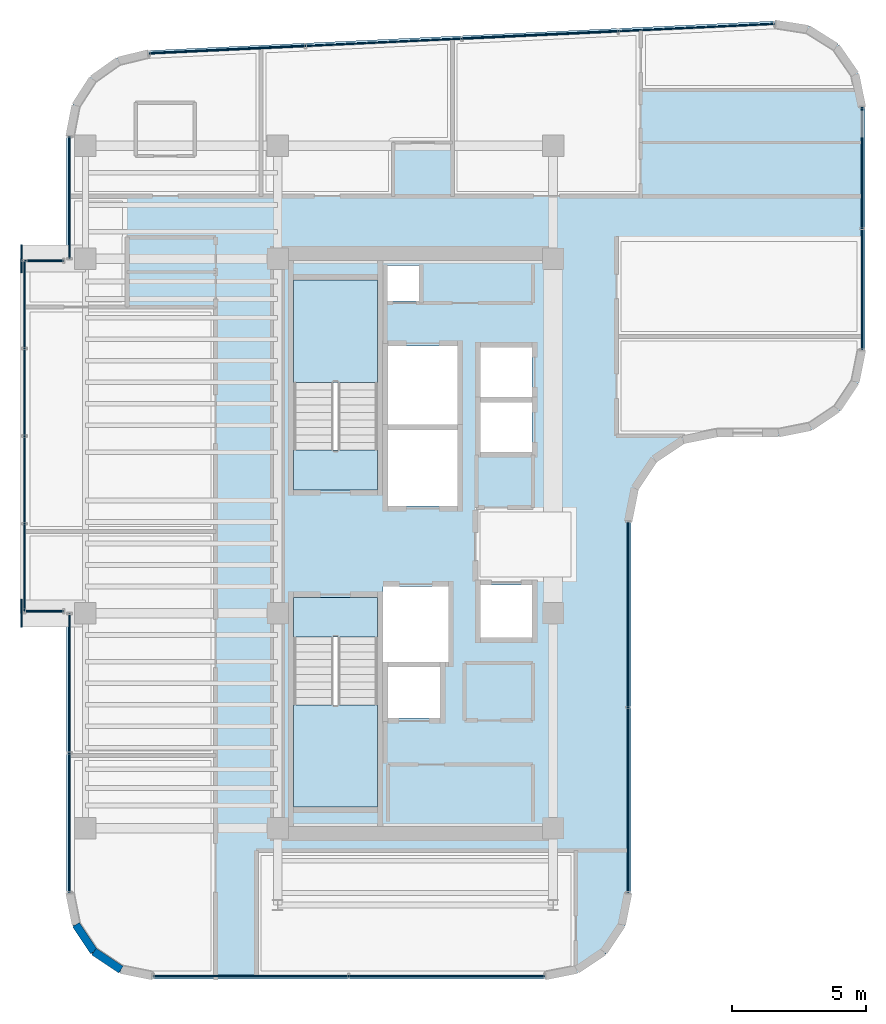
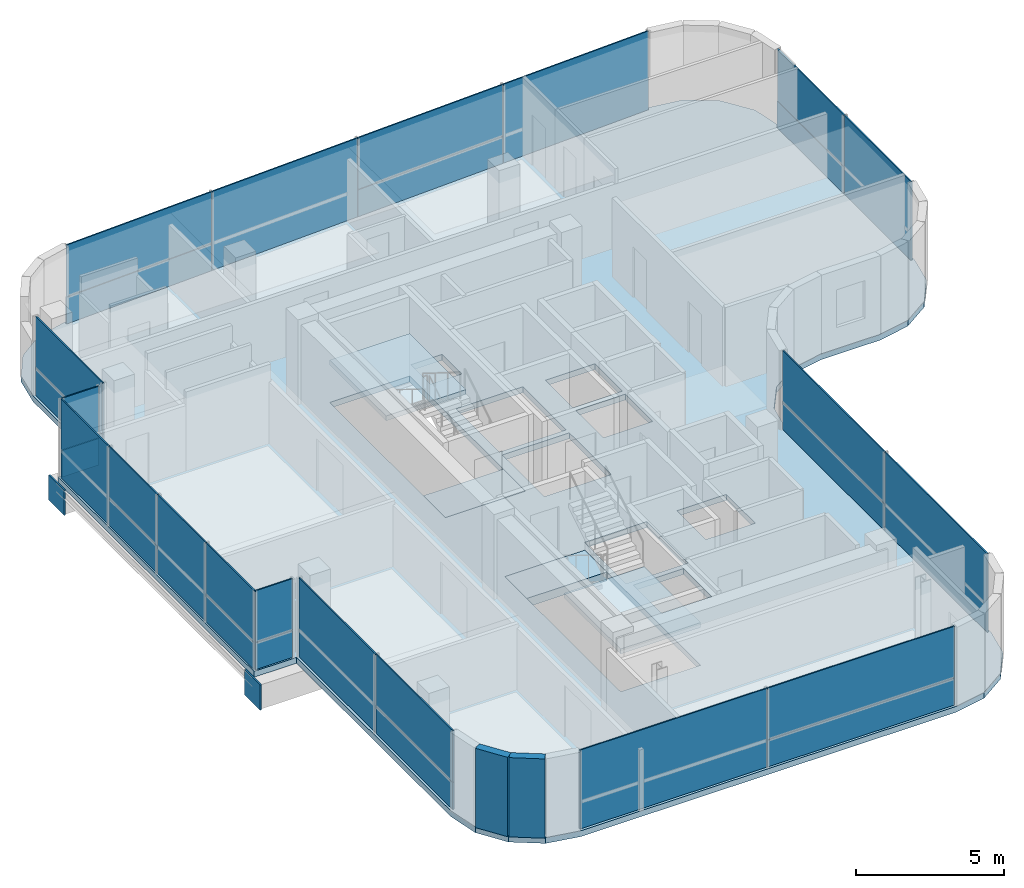
# One storey, part 13 of 18: 32 plates, 5 slabs, 2 walls, 11 elements without a shape of their own.
"""IFC4 building model written with IfcOpenShell, lengths in metres."""

from ifc_helpers import new_model, si_unit, direction, frame, frame_2d, origin, origin_2d, place, context, subcontext, project, spatial, polyline, rectangle, outline, extrude, source, transform, mapped, material, layer, layer_set, type_object, element, aggregate, save


model = new_model("IFC4")

# Units and contexts
model_context = context("Model", 3, precision=1e-05, world=origin(), true_north=direction((0.0, 1.0)))
body_context = subcontext(model_context, "Body", "Model", "MODEL_VIEW")
ifc_project = project(units=[si_unit("LENGTHUNIT", "METRE"), si_unit("AREAUNIT", "SQUARE_METRE"), si_unit("VOLUMEUNIT", "CUBIC_METRE"), si_unit("PLANEANGLEUNIT", "RADIAN"), si_unit("MASSUNIT", "GRAM", prefix="KILO")], contexts=[model_context])

# Site, building, storey
site_placement = place(None, origin())
site = spatial("IfcSite", under=ifc_project, at=site_placement, CompositionType="ELEMENT")
building_placement = place(site_placement, origin())
building = spatial("IfcBuilding", under=site, at=building_placement, Name="Valdorenza Pilgrim Sanctuary Tower", CompositionType="ELEMENT")
storey_placement = place(building_placement, frame((0.0, 0.0, 247.5)))
storey = spatial("IfcBuildingStorey", under=building, at=storey_placement, Name="L64", CompositionType="ELEMENT", Elevation=247.5)

# Slab
ifc_material_1 = material(Name="Concrete C40/50", Category="concrete")
ifc_layer_1 = layer(ifc_material_1, 0.239990234375, Name="Concrete C40/50")
ifc_layer_set_1 = layer_set([ifc_layer_1], Name="Concrete C40/50")
slab_type_1 = type_object("IfcSlabType", Name="SLAB-FLR-220", PredefinedType="FLOOR", material=ifc_layer_set_1)
slab_1_placement = place(storey_placement, frame((0.0, 0.0, -0.239990234375)))
element("IfcSlab", 1, at=slab_1_placement, inside=storey, type_object=slab_type_1, Name="L64 Structural Floor Slab 1", PredefinedType="FLOOR", context=body_context, shape_type="SweptSolid", body=[
    extrude(outline(polyline([(-30.2705078125, 16.3369140625), (-29.615478515625, 17.356201171875), (-28.628173828125, 18.05859375), (-27.45068359375, 18.34375), (-4.150634765625, 19.442138671875), (-2.880615234375, 19.243408203125), (-1.791259765625, 18.56103515625), (-1.05810546875, 17.5048828125), (-0.800048828125, 16.24560546875), (-0.800048828125, 7.199951171875), (-1.043701171875, 5.975341796875), (-1.7373046875, 4.937255859375), (-2.775390625, 4.24365234375), (-4.0, 4.0), (-6.300048828125, 4.0), (-7.524658203125, 3.75634765625), (-8.562744140625, 3.062744140625), (-9.25634765625, 2.024658203125), (-9.5, 0.800048828125), (-9.5, -13.0), (-9.74365234375, -14.224609375), (-10.437255859375, -15.2626953125), (-11.475341796875, -15.956298828125), (-12.699951171875, -16.199951171875), (-27.300048828125, -16.199951171875), (-28.524658203125, -15.956298828125), (-29.562744140625, -15.2626953125), (-30.25634765625, -14.224609375), (-30.5, -13.0), (-30.5, -2.60009765625), (-32.14990234375, -2.60009765625), (-32.14990234375, 10.60009765625), (-30.5, 10.60009765625), (-30.5, 15.147216796875), (-30.2705078125, 16.3369140625)]), holes=[polyline([(-22.050048828125, -9.800048828125), (-18.93994140625, -9.800048828125), (-18.93994140625, -3.485107421875), (-18.93994140625, -2.0), (-22.050048828125, -2.0), (-22.050048828125, -3.485107421875), (-22.050048828125, -9.800048828125)]), polyline([(-16.60009765625, -6.5), (-16.60009765625, -4.60009765625), (-18.550048828125, -4.60009765625), (-18.550048828125, -6.5), (-16.60009765625, -6.5)]), polyline([(-22.050048828125, 2.0), (-18.93994140625, 2.0), (-18.93994140625, 3.485107421875), (-18.93994140625, 9.800048828125), (-22.050048828125, 9.800048828125), (-22.050048828125, 3.485107421875), (-22.050048828125, 2.0)]), polyline([(-17.360107421875, 9.030029296875), (-17.360107421875, 10.35009765625), (-18.570068359375, 10.35009765625), (-18.570068359375, 9.030029296875), (-17.360107421875, 9.030029296875)]), polyline([(-16.300048828125, -1.60009765625), (-18.719970703125, -1.60009765625), (-18.719970703125, -4.39990234375), (-16.300048828125, -4.39990234375), (-16.300048828125, -1.60009765625)]), polyline([(-13.179931640625, -3.5), (-13.179931640625, -1.550048828125), (-15.10009765625, -1.550048828125), (-15.10009765625, -3.5), (-13.179931640625, -3.5)]), polyline([(-15.949951171875, 1.39990234375), (-15.949951171875, 4.22509765625), (-18.550048828125, 4.22509765625), (-18.550048828125, 1.39990234375), (-15.949951171875, 1.39990234375)]), polyline([(-13.179931640625, 5.25), (-15.10009765625, 5.25), (-15.10009765625, 3.39990234375), (-13.179931640625, 3.39990234375), (-13.179931640625, 5.25)]), polyline([(-15.949951171875, 4.425048828125), (-15.949951171875, 7.35009765625), (-18.550048828125, 7.35009765625), (-18.550048828125, 4.425048828125), (-15.949951171875, 4.425048828125)]), polyline([(-13.179931640625, 5.449951171875), (-13.179931640625, 7.300048828125), (-15.10009765625, 7.300048828125), (-15.10009765625, 5.449951171875), (-13.179931640625, 5.449951171875)])]), origin(), (0.0, 0.0, 1.0), 0.239990234375),
])

# Stair, slab
stair_type = type_object("IfcStairType", Name="STR-DOG-CORE", PredefinedType="HALF_TURN_STAIR", material=ifc_material_1)
stair_1_placement = place(storey_placement, origin())
stair_1 = element("IfcStair", 2, at=stair_1_placement, inside=storey, type_object=stair_type, Name="L64 ST-A1", PredefinedType="HALF_TURN_STAIR")
ifc_layer_2 = layer(ifc_material_1, 0.199951171875, Name="Concrete C40/50")
ifc_layer_set_2 = layer_set([ifc_layer_2], Name="Concrete C40/50")
slab_type_2 = type_object("IfcSlabType", Name="SLAB-STL-200", PredefinedType="LANDING", material=ifc_layer_set_2)
slab_2_placement = place(storey_placement, frame((0.0, 0.0, 1.550048828125)))
slab_2 = element("IfcSlab", 3, at=slab_2_placement, type_object=slab_type_2, Name="ST-A1 landing 1", PredefinedType="LANDING", context=body_context, shape_type="SweptSolid", body=[
    extrude(outline(polyline([(-18.93994140625, 6.0), (-18.93994140625, 9.800048828125), (-22.050048828125, 9.800048828125), (-22.050048828125, 6.0), (-18.93994140625, 6.0)])), origin(), (0.0, 0.0, 1.0), 0.199951171875),
])
aggregate(stair_1, [slab_2])

stair_2_placement = place(storey_placement, origin())
stair_2 = element("IfcStair", 4, at=stair_2_placement, inside=storey, type_object=stair_type, Name="L64 ST-A2", PredefinedType="HALF_TURN_STAIR")
slab_3_placement = place(storey_placement, frame((0.0, 0.0, 1.550048828125)))
slab_3 = element("IfcSlab", 5, at=slab_3_placement, type_object=slab_type_2, Name="ST-A2 landing 1", PredefinedType="LANDING", context=body_context, shape_type="SweptSolid", body=[
    extrude(outline(polyline([(-22.050048828125, -6.0), (-22.050048828125, -9.800048828125), (-18.93994140625, -9.800048828125), (-18.93994140625, -6.0), (-22.050048828125, -6.0)])), origin(), (0.0, 0.0, 1.0), 0.199951171875),
])
aggregate(stair_2, [slab_3])

# Slabs
ifc_material_2 = material(Name="Concrete C50/60", Category="concrete")
ifc_layer_3 = layer(ifc_material_2, 0.39990234375, Name="Concrete C50/60")
ifc_layer_set_3 = layer_set([ifc_layer_3], Name="Concrete C50/60")
slab_type_3 = type_object("IfcSlabType", Name="SLAB-TRF-400", PredefinedType="FLOOR", material=ifc_layer_set_3)
slab_4_placement = place(storey_placement, frame((0.0, 0.0, -0.360107421875)))
element("IfcSlab", 6, at=slab_4_placement, inside=storey, type_object=slab_type_3, Name="L64 ST-A1 Structural Stair Landing Bearing Slab", PredefinedType="FLOOR", context=body_context, shape_type="SweptSolid", body=[
    extrude(outline(polyline([(-22.050048828125, 2.0), (-18.93994140625, 2.0), (-18.93994140625, 3.485107421875), (-22.050048828125, 3.485107421875), (-22.050048828125, 2.0)])), origin(), (0.0, 0.0, 1.0), 0.360107421875),
])
slab_5_placement = place(storey_placement, frame((0.0, 0.0, -0.360107421875)))
element("IfcSlab", 7, at=slab_5_placement, inside=storey, type_object=slab_type_3, Name="L64 ST-A2 Structural Stair Landing Bearing Slab", PredefinedType="FLOOR", context=body_context, shape_type="SweptSolid", body=[
    extrude(outline(polyline([(-22.050048828125, -3.485107421875), (-18.93994140625, -3.485107421875), (-18.93994140625, -2.0), (-22.050048828125, -2.0), (-22.050048828125, -3.485107421875)])), origin(), (0.0, 0.0, 1.0), 0.360107421875),
])

# Plates
ifc_material_3 = material(Name="Steel ASTM A572 Grade 42", Category="steel")
ifc_layer_4 = layer(ifc_material_3, 0.06005859375, Name="Steel ASTM A572 Grade 42")
ifc_layer_set_4 = layer_set([ifc_layer_4], Name="Steel ASTM A572 Grade 42")
plate_type_1 = type_object("IfcPlateType", Name="PLT-CAP-60", PredefinedType="SHEET", material=ifc_layer_set_4)
shared_shape_1 = source(origin(), body_context, "Body", "SweptSolid", [
    extrude(rectangle(XDim=0.06005859375, YDim=1.0400390625, at=origin_2d()), origin(), (0.0, 0.0, 1.0), 1.0400390625),
])
for number, where, z_axis, x_axis, name in (
    (8, (-32.179931640625, 10.60009765625, -1.260009765625), (0.0, 0.0, 1.0), (1.0, 0.0, 0.0), "L64 BOX-WA-L64 Cantilever Tip End Cap N"),
    (9, (-32.179931640625, -2.60009765625, -1.260009765625), (0.0, 0.0, 1.0), (1.0, 0.0, 0.0), "L64 BOX-WA-L64 Cantilever Tip End Cap S"),
):
    element("IfcPlate", number, at=place(storey_placement, frame(where, z_axis=z_axis, x_axis=x_axis)), inside=storey, type_object=plate_type_1, Name=name, PredefinedType="SHEET", context=body_context, shape_type="MappedRepresentation", body=[
        mapped(shared_shape_1, transform((0.0, 0.0, 0.0), x_axis=(1.0, 0.0, 0.0), y_axis=(0.0, 1.0, 0.0), z_axis=(0.0, 0.0, 1.0), scale=1.0)),
    ])

# Curtain wall, plate
ifc_material_4 = material(Name="Curtain-wall IGU glazing", Category="glass")
curtain_wall_type = type_object("IfcCurtainWallType", Name="CW-SYS-02", PredefinedType="NOTDEFINED", material=ifc_material_4)
curtain_wall_1_placement = place(storey_placement, origin())
curtain_wall_1 = element("IfcCurtainWall", 10, at=curtain_wall_1_placement, inside=storey, type_object=curtain_wall_type, Name="L64 Curtain Wall CW-L64-BOX-WA-L64-S", PredefinedType="NOTDEFINED")
ifc_material_5 = material(Name="Honed travertine limestone", Category="masonry")
ifc_layer_5 = layer(ifc_material_5, 0.050048828125, Name="Honed travertine limestone")
ifc_layer_set_5 = layer_set([ifc_layer_5], Name="Honed travertine limestone")
plate_type_2 = type_object("IfcPlateType", Name="CW-SPN-TRV", PredefinedType="USERDEFINED", material=ifc_layer_set_5)
shared_shape_2 = source(origin(), body_context, "Body", "SweptSolid", [
    extrude(rectangle(XDim=1.43994140625, YDim=0.06005859375, at=origin_2d()), origin(), (0.0, 0.0, 1.0), 1.10009765625),
])
plate_1_placement = place(storey_placement, frame((-31.340087890625, -2.52001953125, 0.010009765625), z_axis=(0.0, 0.0, 1.0), x_axis=(-1.0, 0.0, 0.0)))
plate_1 = element("IfcPlate", 11, at=plate_1_placement, type_object=plate_type_2, Name="CW-L64-BOX-WA-L64-S Travertine Spandrel 1", ObjectType="SPANDREL", PredefinedType="USERDEFINED", context=body_context, shape_type="MappedRepresentation", body=[
    mapped(shared_shape_2, transform((0.0, 0.0, 0.0), x_axis=(1.0, 0.0, 0.0), y_axis=(0.0, 1.0, 0.0), z_axis=(0.0, 0.0, 1.0), scale=1.0)),
])

curtain_wall_2_placement = place(storey_placement, origin())
curtain_wall_2 = element("IfcCurtainWall", 12, at=curtain_wall_2_placement, inside=storey, type_object=curtain_wall_type, Name="L64 Curtain Wall CW-L64-BOX-WA-L64-N", PredefinedType="NOTDEFINED")
plate_2_placement = place(storey_placement, frame((-31.340087890625, 10.52001953125, 0.010009765625), z_axis=(0.0, 0.0, 1.0), x_axis=(1.0, 0.0, 0.0)))
plate_2 = element("IfcPlate", 13, at=plate_2_placement, type_object=plate_type_2, Name="CW-L64-BOX-WA-L64-N Travertine Spandrel 1", ObjectType="SPANDREL", PredefinedType="USERDEFINED", context=body_context, shape_type="MappedRepresentation", body=[
    mapped(shared_shape_2, transform((0.0, 0.0, 0.0), x_axis=(1.0, 0.0, 0.0), y_axis=(0.0, 1.0, 0.0), z_axis=(0.0, 0.0, 1.0), scale=1.0)),
])

# Curtain wall, plates
curtain_wall_3_placement = place(storey_placement, origin())
curtain_wall_3 = element("IfcCurtainWall", 14, at=curtain_wall_3_placement, inside=storey, type_object=curtain_wall_type, Name="L64 Curtain Wall CW-L64-BOX-WA-L64-F", PredefinedType="NOTDEFINED")
shared_shape_3 = source(origin(), body_context, "Body", "SweptSolid", [
    extrude(rectangle(XDim=3.239990234375, YDim=0.06005859375, at=origin_2d()), origin(), (0.0, 0.0, 1.0), 1.10009765625),
])
plate_3_placement = place(storey_placement, frame((-32.070068359375, -0.889892578125, 0.010009765625), z_axis=(0.0, 0.0, 1.0), x_axis=(0.0, 1.0, 0.0)))
plate_3 = element("IfcPlate", 15, at=plate_3_placement, type_object=plate_type_2, Name="CW-L64-BOX-WA-L64-F Travertine Spandrel 1", ObjectType="SPANDREL", PredefinedType="USERDEFINED", context=body_context, shape_type="MappedRepresentation", body=[
    mapped(shared_shape_3, transform((0.0, 0.0, 0.0), x_axis=(1.0, 0.0, 0.0), y_axis=(0.0, 1.0, 0.0), z_axis=(0.0, 0.0, 1.0), scale=1.0)),
])
plate_4_placement = place(storey_placement, frame((-32.070068359375, 5.6298828125, 0.010009765625), z_axis=(0.0, 0.0, 1.0), x_axis=(0.0, 1.0, 0.0)))
plate_4 = element("IfcPlate", 16, at=plate_4_placement, type_object=plate_type_2, Name="CW-L64-BOX-WA-L64-F Travertine Spandrel 3", ObjectType="SPANDREL", PredefinedType="USERDEFINED", context=body_context, shape_type="MappedRepresentation", body=[
    mapped(shared_shape_3, transform((0.0, 0.0, 0.0), x_axis=(1.0, 0.0, 0.0), y_axis=(0.0, 1.0, 0.0), z_axis=(0.0, 0.0, 1.0), scale=1.0)),
])

# Plate
ifc_material_6 = material(Name="Ceramic-fritted low-E IGU glazing", Category="glass")
ifc_layer_6 = layer(ifc_material_6, 0.035888671875, Name="Ceramic-fritted low-E IGU glazing")
ifc_layer_set_6 = layer_set([ifc_layer_6], Name="Ceramic-fritted low-E IGU glazing")
plate_type_3 = type_object("IfcPlateType", Name="CW-GLZ-IGU", PredefinedType="USERDEFINED", material=ifc_layer_set_6)
shared_shape_4 = source(origin(), body_context, "Body", "SweptSolid", [
    extrude(rectangle(XDim=1.43994140625, YDim=0.050048828125, at=origin_2d()), origin(), (0.0, 0.0, 1.0), 2.1201171875),
])
plate_5_placement = place(storey_placement, frame((-31.340087890625, -2.52001953125, 1.1298828125), z_axis=(0.0, 0.0, 1.0), x_axis=(-1.0, 0.0, 0.0)))
plate_5 = element("IfcPlate", 17, at=plate_5_placement, type_object=plate_type_3, Name="CW-L64-BOX-WA-L64-S Facade Panel 1", ObjectType="GLAZING", PredefinedType="USERDEFINED", context=body_context, shape_type="MappedRepresentation", body=[
    mapped(shared_shape_4, transform((0.0, 0.0, 0.0), x_axis=(1.0, 0.0, 0.0), y_axis=(0.0, 1.0, 0.0), z_axis=(0.0, 0.0, 1.0), scale=1.0)),
])

aggregate(curtain_wall_1, [plate_1, plate_5])

plate_6_placement = place(storey_placement, frame((-31.340087890625, 10.52001953125, 1.1298828125), z_axis=(0.0, 0.0, 1.0), x_axis=(1.0, 0.0, 0.0)))
plate_6 = element("IfcPlate", 18, at=plate_6_placement, type_object=plate_type_3, Name="CW-L64-BOX-WA-L64-N Facade Panel 1", ObjectType="GLAZING", PredefinedType="USERDEFINED", context=body_context, shape_type="MappedRepresentation", body=[
    mapped(shared_shape_4, transform((0.0, 0.0, 0.0), x_axis=(1.0, 0.0, 0.0), y_axis=(0.0, 1.0, 0.0), z_axis=(0.0, 0.0, 1.0), scale=1.0)),
])

aggregate(curtain_wall_2, [plate_2, plate_6])

shared_shape_5 = source(origin(), body_context, "Body", "SweptSolid", [
    extrude(rectangle(XDim=3.239990234375, YDim=0.050048828125, at=origin_2d()), origin(), (0.0, 0.0, 1.0), 2.1201171875),
])
plate_7_placement = place(storey_placement, frame((-32.070068359375, -0.889892578125, 1.1298828125), z_axis=(0.0, 0.0, 1.0), x_axis=(0.0, 1.0, 0.0)))
plate_7 = element("IfcPlate", 19, at=plate_7_placement, type_object=plate_type_3, Name="CW-L64-BOX-WA-L64-F Facade Panel 1", ObjectType="GLAZING", PredefinedType="USERDEFINED", context=body_context, shape_type="MappedRepresentation", body=[
    mapped(shared_shape_5, transform((0.0, 0.0, 0.0), x_axis=(1.0, 0.0, 0.0), y_axis=(0.0, 1.0, 0.0), z_axis=(0.0, 0.0, 1.0), scale=1.0)),
])

plate_8_placement = place(storey_placement, frame((-32.070068359375, 5.6298828125, 1.1298828125), z_axis=(0.0, 0.0, 1.0), x_axis=(0.0, 1.0, 0.0)))
plate_8 = element("IfcPlate", 20, at=plate_8_placement, type_object=plate_type_3, Name="CW-L64-BOX-WA-L64-F Facade Panel 3", ObjectType="GLAZING", PredefinedType="USERDEFINED", context=body_context, shape_type="MappedRepresentation", body=[
    mapped(shared_shape_5, transform((0.0, 0.0, 0.0), x_axis=(1.0, 0.0, 0.0), y_axis=(0.0, 1.0, 0.0), z_axis=(0.0, 0.0, 1.0), scale=1.0)),
])

shared_shape_6 = source(origin(), body_context, "Body", "SweptSolid", [
    extrude(rectangle(XDim=3.239990234375, YDim=0.050048828125, at=origin_2d()), origin(), (0.0, 0.0, 1.0), 3.239990234375),
])
plate_9_placement = place(storey_placement, frame((-32.070068359375, 2.3701171875, 0.009765625), z_axis=(0.0, 0.0, 1.0), x_axis=(0.0, 1.0, 0.0)))
plate_9 = element("IfcPlate", 21, at=plate_9_placement, type_object=plate_type_3, Name="CW-L64-BOX-WA-L64-F Full-Height Facade Panel 2", ObjectType="GLAZING", PredefinedType="USERDEFINED", context=body_context, shape_type="MappedRepresentation", body=[
    mapped(shared_shape_6, transform((0.0, 0.0, 0.0), x_axis=(1.0, 0.0, 0.0), y_axis=(0.0, 1.0, 0.0), z_axis=(0.0, 0.0, 1.0), scale=1.0)),
])

plate_10_placement = place(storey_placement, frame((-32.070068359375, 8.889892578125, 0.009765625), z_axis=(0.0, 0.0, 1.0), x_axis=(0.0, 1.0, 0.0)))
plate_10 = element("IfcPlate", 22, at=plate_10_placement, type_object=plate_type_3, Name="CW-L64-BOX-WA-L64-F Full-Height Facade Panel 4", ObjectType="GLAZING", PredefinedType="USERDEFINED", context=body_context, shape_type="MappedRepresentation", body=[
    mapped(shared_shape_6, transform((0.0, 0.0, 0.0), x_axis=(1.0, 0.0, 0.0), y_axis=(0.0, 1.0, 0.0), z_axis=(0.0, 0.0, 1.0), scale=1.0)),
])

aggregate(curtain_wall_3, [plate_3, plate_7, plate_9, plate_4, plate_8, plate_10])

# Curtain wall, plates
curtain_wall_4_placement = place(storey_placement, origin())
curtain_wall_4 = element("IfcCurtainWall", 23, at=curtain_wall_4_placement, inside=storey, type_object=curtain_wall_type, Name="L64 Curtain Wall CW-L64-1-1S1", PredefinedType="NOTDEFINED")
shared_shape_7 = source(origin(), body_context, "Body", "SweptSolid", [
    extrude(rectangle(XDim=5.174560546875, YDim=0.06005859375, at=origin_2d()), origin(), (0.0, 0.0, 1.0), 1.10009765625),
])
plate_11_placement = place(storey_placement, frame((-30.389892578125, -10.391845703125, 0.010009765625), z_axis=(0.0, 0.0, 1.0), x_axis=(0.0, 1.0, 0.0)))
plate_11 = element("IfcPlate", 24, at=plate_11_placement, type_object=plate_type_2, Name="CW-L64-1-1S1 Travertine Spandrel 1", ObjectType="SPANDREL", PredefinedType="USERDEFINED", context=body_context, shape_type="MappedRepresentation", body=[
    mapped(shared_shape_7, transform((0.0, 0.0, 0.0), x_axis=(1.0, 0.0, 0.0), y_axis=(0.0, 1.0, 0.0), z_axis=(0.0, 0.0, 1.0), scale=1.0)),
])
shared_shape_8 = source(origin(), body_context, "Body", "SweptSolid", [
    extrude(rectangle(XDim=5.174560546875, YDim=0.050048828125, at=origin_2d()), origin(), (0.0, 0.0, 1.0), 2.1201171875),
])
plate_12_placement = place(storey_placement, frame((-30.389892578125, -10.391845703125, 1.1298828125), z_axis=(0.0, 0.0, 1.0), x_axis=(0.0, 1.0, 0.0)))
plate_12 = element("IfcPlate", 25, at=plate_12_placement, type_object=plate_type_3, Name="CW-L64-1-1S1 Facade Panel 1", ObjectType="GLAZING", PredefinedType="USERDEFINED", context=body_context, shape_type="MappedRepresentation", body=[
    mapped(shared_shape_8, transform((0.0, 0.0, 0.0), x_axis=(1.0, 0.0, 0.0), y_axis=(0.0, 1.0, 0.0), z_axis=(0.0, 0.0, 1.0), scale=1.0)),
])
shared_shape_9 = source(origin(), body_context, "Body", "SweptSolid", [
    extrude(rectangle(XDim=5.174560546875, YDim=0.050048828125, at=origin_2d()), origin(), (0.0, 0.0, 1.0), 3.239990234375),
])
plate_13_placement = place(storey_placement, frame((-30.389892578125, -5.197265625, 0.009765625), z_axis=(0.0, 0.0, 1.0), x_axis=(0.0, 1.0, 0.0)))
plate_13 = element("IfcPlate", 26, at=plate_13_placement, type_object=plate_type_3, Name="CW-L64-1-1S1 Full-Height Facade Panel 2", ObjectType="GLAZING", PredefinedType="USERDEFINED", context=body_context, shape_type="MappedRepresentation", body=[
    mapped(shared_shape_9, transform((0.0, 0.0, 0.0), x_axis=(1.0, 0.0, 0.0), y_axis=(0.0, 1.0, 0.0), z_axis=(0.0, 0.0, 1.0), scale=1.0)),
])
aggregate(curtain_wall_4, [plate_11, plate_12, plate_13])

curtain_wall_5_placement = place(storey_placement, origin())
curtain_wall_5 = element("IfcCurtainWall", 27, at=curtain_wall_5_placement, inside=storey, type_object=curtain_wall_type, Name="L64 Curtain Wall CW-L64-1-1S2", PredefinedType="NOTDEFINED")
shared_shape_10 = source(origin(), body_context, "Body", "SweptSolid", [
    extrude(rectangle(XDim=4.516845703125, YDim=0.06005859375, at=origin_2d()), origin(), (0.0, 0.0, 1.0), 1.10009765625),
])
plate_14_placement = place(storey_placement, frame((-30.389892578125, 12.868408203125, 0.010009765625), z_axis=(0.0, 0.0, 1.0), x_axis=(0.0, 1.0, 0.0)))
plate_14 = element("IfcPlate", 28, at=plate_14_placement, type_object=plate_type_2, Name="CW-L64-1-1S2 Travertine Spandrel 1", ObjectType="SPANDREL", PredefinedType="USERDEFINED", context=body_context, shape_type="MappedRepresentation", body=[
    mapped(shared_shape_10, transform((0.0, 0.0, 0.0), x_axis=(1.0, 0.0, 0.0), y_axis=(0.0, 1.0, 0.0), z_axis=(0.0, 0.0, 1.0), scale=1.0)),
])
shared_shape_11 = source(origin(), body_context, "Body", "SweptSolid", [
    extrude(rectangle(XDim=4.516845703125, YDim=0.050048828125, at=origin_2d()), origin(), (0.0, 0.0, 1.0), 2.1201171875),
])
plate_15_placement = place(storey_placement, frame((-30.389892578125, 12.868408203125, 1.1298828125), z_axis=(0.0, 0.0, 1.0), x_axis=(0.0, 1.0, 0.0)))
plate_15 = element("IfcPlate", 29, at=plate_15_placement, type_object=plate_type_3, Name="CW-L64-1-1S2 Facade Panel 1", ObjectType="GLAZING", PredefinedType="USERDEFINED", context=body_context, shape_type="MappedRepresentation", body=[
    mapped(shared_shape_11, transform((0.0, 0.0, 0.0), x_axis=(1.0, 0.0, 0.0), y_axis=(0.0, 1.0, 0.0), z_axis=(0.0, 0.0, 1.0), scale=1.0)),
])
aggregate(curtain_wall_5, [plate_14, plate_15])

curtain_wall_6_placement = place(storey_placement, origin())
curtain_wall_6 = element("IfcCurtainWall", 30, at=curtain_wall_6_placement, inside=storey, type_object=curtain_wall_type, Name="L64 Curtain Wall CW-L64-1-6", PredefinedType="NOTDEFINED")
shared_shape_12 = source(origin(), body_context, "Body", "SweptSolid", [
    extrude(rectangle(XDim=5.805908203125, YDim=0.06005859375, at=origin_2d()), origin(), (0.0, 0.0, 1.0), 1.10009765625),
])
plate_16_placement = place(storey_placement, frame((-24.525146484375, 18.37158203125, 0.010009765625), z_axis=(0.0, 0.0, 1.0), x_axis=(0.998890696972, 0.047089016785, 0.0)))
plate_16 = element("IfcPlate", 31, at=plate_16_placement, type_object=plate_type_2, Name="CW-L64-1-6 Travertine Spandrel 1", ObjectType="SPANDREL", PredefinedType="USERDEFINED", context=body_context, shape_type="MappedRepresentation", body=[
    mapped(shared_shape_12, transform((0.0, 0.0, 0.0), x_axis=(1.0, 0.0, 0.0), y_axis=(0.0, 1.0, 0.0), z_axis=(0.0, 0.0, 1.0), scale=1.0)),
])
plate_17_placement = place(storey_placement, frame((-12.885986328125, 18.920166015625, 0.010009765625), z_axis=(0.0, 0.0, 1.0), x_axis=(0.998890696972, 0.047089016785, 0.0)))
plate_17 = element("IfcPlate", 32, at=plate_17_placement, type_object=plate_type_2, Name="CW-L64-1-6 Travertine Spandrel 3", ObjectType="SPANDREL", PredefinedType="USERDEFINED", context=body_context, shape_type="MappedRepresentation", body=[
    mapped(shared_shape_12, transform((0.0, 0.0, 0.0), x_axis=(1.0, 0.0, 0.0), y_axis=(0.0, 1.0, 0.0), z_axis=(0.0, 0.0, 1.0), scale=1.0)),
])
shared_shape_13 = source(origin(), body_context, "Body", "SweptSolid", [
    extrude(rectangle(XDim=5.805908203125, YDim=0.050048828125, at=origin_2d()), origin(), (0.0, 0.0, 1.0), 2.1201171875),
])
plate_18_placement = place(storey_placement, frame((-24.525146484375, 18.37158203125, 1.1298828125), z_axis=(0.0, 0.0, 1.0), x_axis=(0.998890696972, 0.047089016785, 0.0)))
plate_18 = element("IfcPlate", 33, at=plate_18_placement, type_object=plate_type_3, Name="CW-L64-1-6 Facade Panel 1", ObjectType="GLAZING", PredefinedType="USERDEFINED", context=body_context, shape_type="MappedRepresentation", body=[
    mapped(shared_shape_13, transform((0.0, 0.0, 0.0), x_axis=(1.0, 0.0, 0.0), y_axis=(0.0, 1.0, 0.0), z_axis=(0.0, 0.0, 1.0), scale=1.0)),
])
plate_19_placement = place(storey_placement, frame((-12.885986328125, 18.920166015625, 1.1298828125), z_axis=(0.0, 0.0, 1.0), x_axis=(0.998890696972, 0.047089016785, 0.0)))
plate_19 = element("IfcPlate", 34, at=plate_19_placement, type_object=plate_type_3, Name="CW-L64-1-6 Facade Panel 3", ObjectType="GLAZING", PredefinedType="USERDEFINED", context=body_context, shape_type="MappedRepresentation", body=[
    mapped(shared_shape_13, transform((0.0, 0.0, 0.0), x_axis=(1.0, 0.0, 0.0), y_axis=(0.0, 1.0, 0.0), z_axis=(0.0, 0.0, 1.0), scale=1.0)),
])
shared_shape_14 = source(origin(), body_context, "Body", "SweptSolid", [
    extrude(rectangle(XDim=5.805908203125, YDim=0.050048828125, at=origin_2d()), origin(), (0.0, 0.0, 1.0), 3.239990234375),
])
plate_20_placement = place(storey_placement, frame((-18.70556640625, 18.645751953125, 0.009765625), z_axis=(0.0, 0.0, 1.0), x_axis=(0.998890696972, 0.047089016785, 0.0)))
plate_20 = element("IfcPlate", 35, at=plate_20_placement, type_object=plate_type_3, Name="CW-L64-1-6 Full-Height Facade Panel 2", ObjectType="GLAZING", PredefinedType="USERDEFINED", context=body_context, shape_type="MappedRepresentation", body=[
    mapped(shared_shape_14, transform((0.0, 0.0, 0.0), x_axis=(1.0, 0.0, 0.0), y_axis=(0.0, 1.0, 0.0), z_axis=(0.0, 0.0, 1.0), scale=1.0)),
])
plate_21_placement = place(storey_placement, frame((-7.06640625, 19.194580078125, 0.009765625), z_axis=(0.0, 0.0, 1.0), x_axis=(0.998890696972, 0.047089016785, 0.0)))
plate_21 = element("IfcPlate", 36, at=plate_21_placement, type_object=plate_type_3, Name="CW-L64-1-6 Full-Height Facade Panel 4", ObjectType="GLAZING", PredefinedType="USERDEFINED", context=body_context, shape_type="MappedRepresentation", body=[
    mapped(shared_shape_14, transform((0.0, 0.0, 0.0), x_axis=(1.0, 0.0, 0.0), y_axis=(0.0, 1.0, 0.0), z_axis=(0.0, 0.0, 1.0), scale=1.0)),
])
aggregate(curtain_wall_6, [plate_16, plate_18, plate_20, plate_17, plate_19, plate_21])

curtain_wall_7_placement = place(storey_placement, origin())
curtain_wall_7 = element("IfcCurtainWall", 37, at=curtain_wall_7_placement, inside=storey, type_object=curtain_wall_type, Name="L64 Curtain Wall CW-L64-1-11", PredefinedType="NOTDEFINED")
shared_shape_15 = source(origin(), body_context, "Body", "SweptSolid", [
    extrude(rectangle(XDim=4.49169921875, YDim=0.06005859375, at=origin_2d()), origin(), (0.0, 0.0, 1.0), 1.10009765625),
])
plate_22_placement = place(storey_placement, frame((-0.909912109375, 13.978515625, 0.010009765625), z_axis=(0.0, 0.0, 1.0), x_axis=(0.0, -1.0, 0.0)))
plate_22 = element("IfcPlate", 38, at=plate_22_placement, type_object=plate_type_2, Name="CW-L64-1-11 Travertine Spandrel 1", ObjectType="SPANDREL", PredefinedType="USERDEFINED", context=body_context, shape_type="MappedRepresentation", body=[
    mapped(shared_shape_15, transform((0.0, 0.0, 0.0), x_axis=(1.0, 0.0, 0.0), y_axis=(0.0, 1.0, 0.0), z_axis=(0.0, 0.0, 1.0), scale=1.0)),
])
shared_shape_16 = source(origin(), body_context, "Body", "SweptSolid", [
    extrude(rectangle(XDim=4.49169921875, YDim=0.050048828125, at=origin_2d()), origin(), (0.0, 0.0, 1.0), 2.1201171875),
])
plate_23_placement = place(storey_placement, frame((-0.909912109375, 13.978515625, 1.1298828125), z_axis=(0.0, 0.0, 1.0), x_axis=(0.0, -1.0, 0.0)))
plate_23 = element("IfcPlate", 39, at=plate_23_placement, type_object=plate_type_3, Name="CW-L64-1-11 Facade Panel 1", ObjectType="GLAZING", PredefinedType="USERDEFINED", context=body_context, shape_type="MappedRepresentation", body=[
    mapped(shared_shape_16, transform((0.0, 0.0, 0.0), x_axis=(1.0, 0.0, 0.0), y_axis=(0.0, 1.0, 0.0), z_axis=(0.0, 0.0, 1.0), scale=1.0)),
])
shared_shape_17 = source(origin(), body_context, "Body", "SweptSolid", [
    extrude(rectangle(XDim=4.49169921875, YDim=0.050048828125, at=origin_2d()), origin(), (0.0, 0.0, 1.0), 3.239990234375),
])
plate_24_placement = place(storey_placement, frame((-0.909912109375, 9.466796875, 0.009765625), z_axis=(0.0, 0.0, 1.0), x_axis=(0.0, -1.0, 0.0)))
plate_24 = element("IfcPlate", 40, at=plate_24_placement, type_object=plate_type_3, Name="CW-L64-1-11 Full-Height Facade Panel 2", ObjectType="GLAZING", PredefinedType="USERDEFINED", context=body_context, shape_type="MappedRepresentation", body=[
    mapped(shared_shape_17, transform((0.0, 0.0, 0.0), x_axis=(1.0, 0.0, 0.0), y_axis=(0.0, 1.0, 0.0), z_axis=(0.0, 0.0, 1.0), scale=1.0)),
])
aggregate(curtain_wall_7, [plate_22, plate_23, plate_24])

curtain_wall_8_placement = place(storey_placement, origin())
curtain_wall_8 = element("IfcCurtainWall", 41, at=curtain_wall_8_placement, inside=storey, type_object=curtain_wall_type, Name="L64 Curtain Wall CW-L64-1-21", PredefinedType="NOTDEFINED")
shared_shape_18 = source(origin(), body_context, "Body", "SweptSolid", [
    extrude(rectangle(XDim=6.8798828125, YDim=0.06005859375, at=origin_2d()), origin(), (0.0, 0.0, 1.0), 1.10009765625),
])
plate_25_placement = place(storey_placement, frame((-9.610107421875, -2.63916015625, 0.010009765625), z_axis=(0.0, 0.0, 1.0), x_axis=(0.0, -1.0, 0.0)))
plate_25 = element("IfcPlate", 42, at=plate_25_placement, type_object=plate_type_2, Name="CW-L64-1-21 Travertine Spandrel 1", ObjectType="SPANDREL", PredefinedType="USERDEFINED", context=body_context, shape_type="MappedRepresentation", body=[
    mapped(shared_shape_18, transform((0.0, 0.0, 0.0), x_axis=(1.0, 0.0, 0.0), y_axis=(0.0, 1.0, 0.0), z_axis=(0.0, 0.0, 1.0), scale=1.0)),
])
shared_shape_19 = source(origin(), body_context, "Body", "SweptSolid", [
    extrude(rectangle(XDim=6.8798828125, YDim=0.050048828125, at=origin_2d()), origin(), (0.0, 0.0, 1.0), 2.1201171875),
])
plate_26_placement = place(storey_placement, frame((-9.610107421875, -2.63916015625, 1.1298828125), z_axis=(0.0, 0.0, 1.0), x_axis=(0.0, -1.0, 0.0)))
plate_26 = element("IfcPlate", 43, at=plate_26_placement, type_object=plate_type_3, Name="CW-L64-1-21 Facade Panel 1", ObjectType="GLAZING", PredefinedType="USERDEFINED", context=body_context, shape_type="MappedRepresentation", body=[
    mapped(shared_shape_19, transform((0.0, 0.0, 0.0), x_axis=(1.0, 0.0, 0.0), y_axis=(0.0, 1.0, 0.0), z_axis=(0.0, 0.0, 1.0), scale=1.0)),
])
shared_shape_20 = source(origin(), body_context, "Body", "SweptSolid", [
    extrude(rectangle(XDim=6.8798828125, YDim=0.050048828125, at=origin_2d()), origin(), (0.0, 0.0, 1.0), 3.239990234375),
])
plate_27_placement = place(storey_placement, frame((-9.610107421875, -9.539306640625, 0.009765625), z_axis=(0.0, 0.0, 1.0), x_axis=(0.0, -1.0, 0.0)))
plate_27 = element("IfcPlate", 44, at=plate_27_placement, type_object=plate_type_3, Name="CW-L64-1-21 Full-Height Facade Panel 2", ObjectType="GLAZING", PredefinedType="USERDEFINED", context=body_context, shape_type="MappedRepresentation", body=[
    mapped(shared_shape_20, transform((0.0, 0.0, 0.0), x_axis=(1.0, 0.0, 0.0), y_axis=(0.0, 1.0, 0.0), z_axis=(0.0, 0.0, 1.0), scale=1.0)),
])
aggregate(curtain_wall_8, [plate_25, plate_26, plate_27])

curtain_wall_9_placement = place(storey_placement, origin())
curtain_wall_9 = element("IfcCurtainWall", 45, at=curtain_wall_9_placement, inside=storey, type_object=curtain_wall_type, Name="L64 Curtain Wall CW-L64-1-26", PredefinedType="NOTDEFINED")
shared_shape_21 = source(origin(), body_context, "Body", "SweptSolid", [
    extrude(rectangle(XDim=7.269287109375, YDim=0.06005859375, at=origin_2d()), origin(), (0.0, 0.0, 1.0), 1.10009765625),
])
plate_28_placement = place(storey_placement, frame((-16.35546875, -16.090087890625, 0.010009765625), z_axis=(0.0, 0.0, 1.0), x_axis=(-1.0, 0.0, 0.0)))
plate_28 = element("IfcPlate", 46, at=plate_28_placement, type_object=plate_type_2, Name="CW-L64-1-26 Travertine Spandrel 1", ObjectType="SPANDREL", PredefinedType="USERDEFINED", context=body_context, shape_type="MappedRepresentation", body=[
    mapped(shared_shape_21, transform((0.0, 0.0, 0.0), x_axis=(1.0, 0.0, 0.0), y_axis=(0.0, 1.0, 0.0), z_axis=(0.0, 0.0, 1.0), scale=1.0)),
])
shared_shape_22 = source(origin(), body_context, "Body", "SweptSolid", [
    extrude(rectangle(XDim=7.269287109375, YDim=0.050048828125, at=origin_2d()), origin(), (0.0, 0.0, 1.0), 2.1201171875),
])
plate_29_placement = place(storey_placement, frame((-16.35546875, -16.090087890625, 1.1298828125), z_axis=(0.0, 0.0, 1.0), x_axis=(-1.0, 0.0, 0.0)))
plate_29 = element("IfcPlate", 47, at=plate_29_placement, type_object=plate_type_3, Name="CW-L64-1-26 Facade Panel 1", ObjectType="GLAZING", PredefinedType="USERDEFINED", context=body_context, shape_type="MappedRepresentation", body=[
    mapped(shared_shape_22, transform((0.0, 0.0, 0.0), x_axis=(1.0, 0.0, 0.0), y_axis=(0.0, 1.0, 0.0), z_axis=(0.0, 0.0, 1.0), scale=1.0)),
])
shared_shape_23 = source(origin(), body_context, "Body", "SweptSolid", [
    extrude(rectangle(XDim=7.269287109375, YDim=0.050048828125, at=origin_2d()), origin(), (0.0, 0.0, 1.0), 3.239990234375),
])
plate_30_placement = place(storey_placement, frame((-23.64453125, -16.090087890625, 0.009765625), z_axis=(0.0, 0.0, 1.0), x_axis=(-1.0, 0.0, 0.0)))
plate_30 = element("IfcPlate", 48, at=plate_30_placement, type_object=plate_type_3, Name="CW-L64-1-26 Full-Height Facade Panel 2", ObjectType="GLAZING", PredefinedType="USERDEFINED", context=body_context, shape_type="MappedRepresentation", body=[
    mapped(shared_shape_23, transform((0.0, 0.0, 0.0), x_axis=(1.0, 0.0, 0.0), y_axis=(0.0, 1.0, 0.0), z_axis=(0.0, 0.0, 1.0), scale=1.0)),
])
aggregate(curtain_wall_9, [plate_28, plate_29, plate_30])

# Walls
ifc_layer_7 = layer(ifc_material_5, 0.300048828125, Name="Honed travertine limestone")
ifc_layer_set_7 = layer_set([ifc_layer_7], Name="Honed travertine limestone")
wall_type = type_object("IfcWallType", Name="WAL-EXT-300", PredefinedType="SOLIDWALL", material=ifc_layer_set_7)
for number, where, z_axis, x_axis, name in (
    (49, (-28.481689453125, -15.852783203125, 0.0), (0.0, 0.0, 1.0), (-0.831426265255, 0.555635100982, 0.0), "L64 Rounded Wind-Corner Stone Pier 28"),
    (50, (-29.4833984375, -15.183349609375, 0.0), (0.0, 0.0, 1.0), (-0.555635100982, 0.831426265255, 0.0), "L64 Rounded Wind-Corner Stone Pier 29"),
):
    element("IfcWall", number, at=place(storey_placement, frame(where, z_axis=z_axis, x_axis=x_axis)), inside=storey, type_object=wall_type, Name=name, PredefinedType="SOLIDWALL", context=body_context, shape_type="SweptSolid", body=[
        extrude(rectangle(XDim=1.204833984375, YDim=0.300048828125, at=frame_2d((0.6025390625, 0.0))), origin(), (0.0, 0.0, 1.0), 3.260009765625),
    ])

save(model, "model.ifc")
